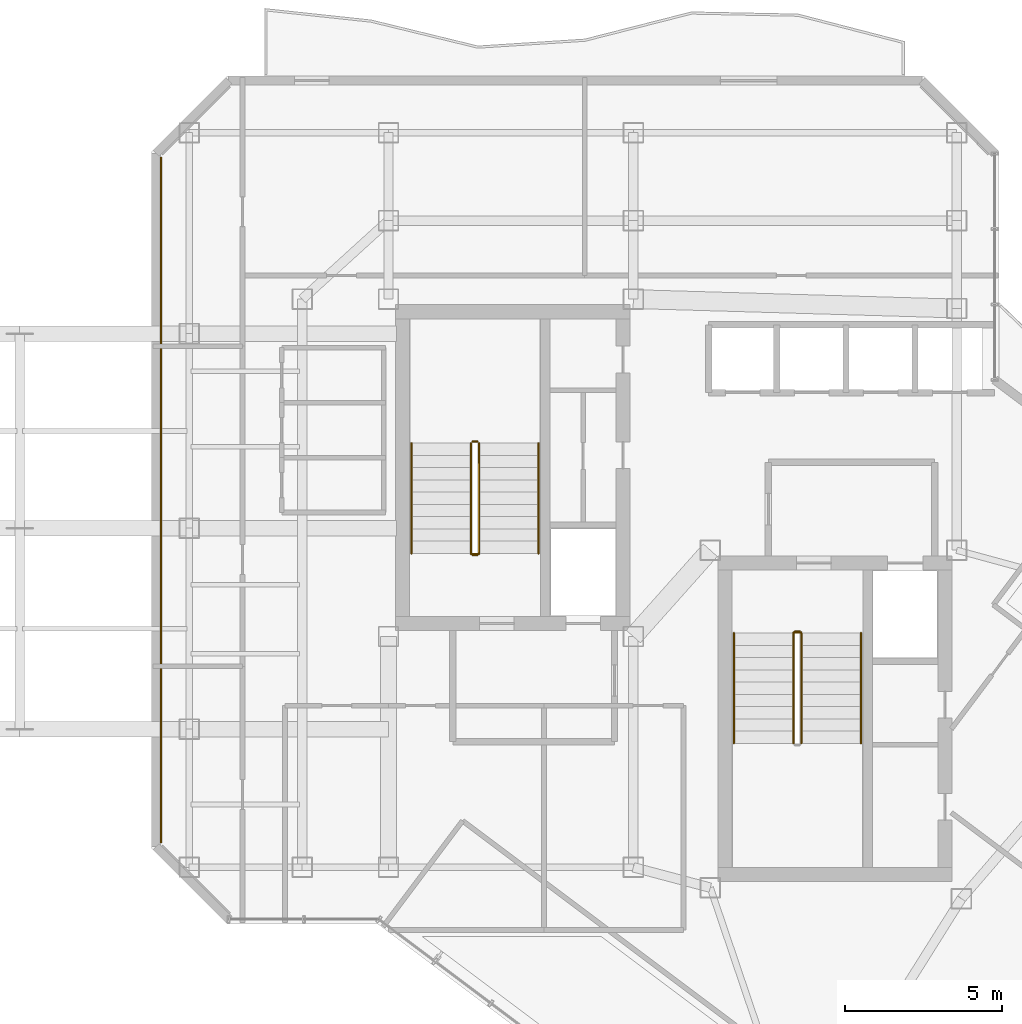
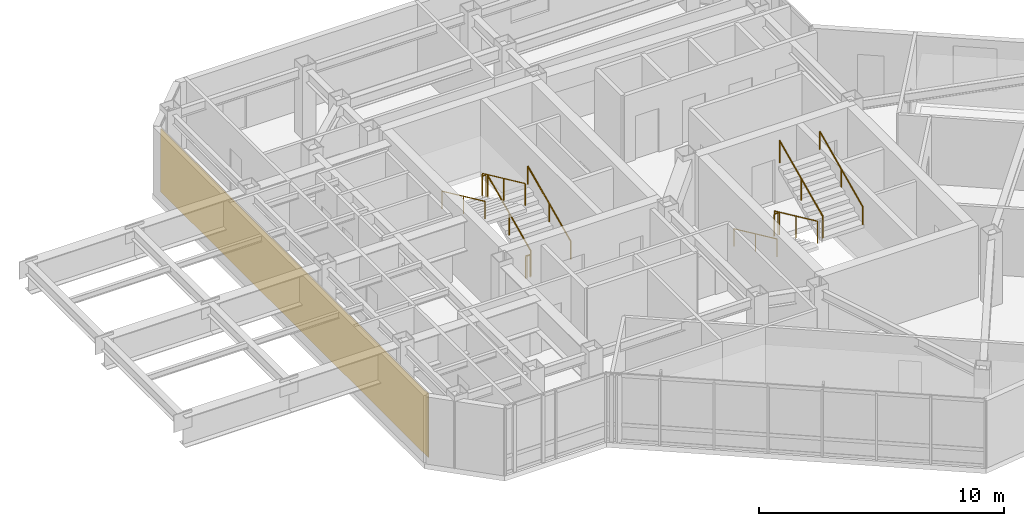
# One storey, part 16 of 17: 13 railings, 1 covering.
"""IFC4 building model written with IfcOpenShell, lengths in metres."""

import ifcopenshell
import ifcopenshell.guid

model = None  # the IFC model being written
_history = None  # IfcOwnerHistory: only IFC2X3 demands one
_inside = {}  # id of a spatial element -> (the spatial element, [elements in it])
_under = {}  # id of a project, library or spatial element -> (it, [spatial elements below it])
_declared = {}  # id of a project -> (the project, [libraries it declares])
_typed = {}  # id of a type object -> (the type object, [elements of that type])
_made_of = {}  # id of a material, layer set ... -> (it, [elements and type objects made of it])


def new_model(schema):
    """Start an empty IFC model of exactly this schema.

    Asked for "IFC4X3", IfcOpenShell would pick the latest addendum, in which some entities
    have other attributes; the version numbers below select the first issue.
    IFC2X3 requires an IfcOwnerHistory on every rooted entity: one is made here for all.
    """
    global model, _history
    if schema == "IFC4X3":
        model = ifcopenshell.file(schema_version=(4, 3, 0, 0))
    else:
        model = ifcopenshell.file(schema=schema)
    _inside.clear()
    _under.clear()
    _declared.clear()
    _typed.clear()
    _made_of.clear()
    _history = None
    if model.schema == "IFC2X3":
        org = make("IfcOrganization", Name="unknown")
        user = make(
            "IfcPersonAndOrganization",
            ThePerson=make("IfcPerson", FamilyName="unknown"),
            TheOrganization=org,
        )
        app = make(
            "IfcApplication",
            ApplicationDeveloper=org,
            Version="unknown",
            ApplicationFullName="unknown",
            ApplicationIdentifier="unknown",
        )
        _history = make(
            "IfcOwnerHistory",
            OwningUser=user,
            OwningApplication=app,
            ChangeAction="ADDED",
            CreationDate=0,
        )
    return model


def make(cls, **values):
    """One entity of the class cls with the attributes given. An attribute that is None is left unset."""
    return model.create_entity(
        cls, **{name: value for name, value in values.items() if value is not None}
    )


def rooted(cls, **values):
    """An entity with a GlobalId (a new one), such as an element, a storey or a relation."""
    return make(cls, GlobalId=ifcopenshell.guid.new(), OwnerHistory=_history, **values)


def si_unit(unit_type, name, prefix=None):
    """IfcSIUnit, for example si_unit("LENGTHUNIT", "METRE", prefix="MILLI")."""
    return make("IfcSIUnit", UnitType=unit_type, Prefix=prefix, Name=name)


def assignment(units):
    """IfcUnitAssignment: the units of a project."""
    return None if units is None else make("IfcUnitAssignment", Units=units)


def point(xyz):
    """IfcCartesianPoint."""
    return None if xyz is None else make("IfcCartesianPoint", Coordinates=xyz)


def direction(xyz):
    """IfcDirection."""
    return None if xyz is None else make("IfcDirection", DirectionRatios=xyz)


def frame(location, z_axis=None, x_axis=None):
    """IfcAxis2Placement3D, a coordinate frame: its origin and axes. An axis left out is left unset."""
    return make(
        "IfcAxis2Placement3D",
        Location=point(location),
        Axis=direction(z_axis),
        RefDirection=direction(x_axis),
    )


def frame_2d(location, x_axis=None):
    """IfcAxis2Placement2D, a coordinate frame in the plane: its origin and x axis."""
    return make(
        "IfcAxis2Placement2D", Location=point(location), RefDirection=direction(x_axis)
    )


def origin():
    """The frame at (0, 0, 0) with its axes left unset."""
    return frame((0.0, 0.0, 0.0))


def origin_2d():
    """The frame at (0, 0) in the plane with its x axis left unset."""
    return frame_2d((0.0, 0.0))


def place(relative_to, where):
    """IfcLocalPlacement: puts the frame where relative to a parent placement (None: the world)."""
    return make(
        "IfcLocalPlacement", PlacementRelTo=relative_to, RelativePlacement=where
    )


def context(
    kind, dimensions, precision=None, world=None, true_north=None, identifier=None
):
    """IfcGeometricRepresentationContext, for example the 3D "Model" context."""
    return make(
        "IfcGeometricRepresentationContext",
        ContextIdentifier=identifier,
        ContextType=kind,
        CoordinateSpaceDimension=dimensions,
        Precision=precision,
        WorldCoordinateSystem=world,
        TrueNorth=true_north,
    )


def subcontext(parent, identifier, kind, view, scale=None):
    """IfcGeometricRepresentationSubContext, for example "Body" below "Model"."""
    return make(
        "IfcGeometricRepresentationSubContext",
        ContextIdentifier=identifier,
        ContextType=kind,
        ParentContext=parent,
        TargetScale=scale,
        TargetView=view,
    )


def project(units=None, contexts=None):
    """IfcProject with its units and contexts."""
    return rooted(
        "IfcProject",
        Name="project",
        RepresentationContexts=contexts,
        UnitsInContext=assignment(units),
    )


def spatial(cls, under=None, at=None, **own):
    """A site, building, storey or space (cls), placed at a placement, below another one or the project."""
    s = rooted(cls, ObjectPlacement=at, **own)
    if under is not None:
        _under.setdefault(under.id(), (under, []))[1].append(s)
    return s


def profile(cls, at=None, kind="AREA", **sizes):
    """A parametric profile (cls). Its sizes go by their IFC names, for example OverallWidth=200.0."""
    return make(cls, ProfileType=kind, Position=at, **sizes)


def rectangle(**sizes):
    """IfcRectangleProfileDef."""
    return profile("IfcRectangleProfileDef", **sizes)


def circle(**sizes):
    """IfcCircleProfileDef."""
    return profile("IfcCircleProfileDef", **sizes)


def extrude(swept, where, along, depth):
    """IfcExtrudedAreaSolid: the profile swept, set in the frame where, extruded along a direction by depth."""
    return make(
        "IfcExtrudedAreaSolid",
        SweptArea=swept,
        Position=where,
        ExtrudedDirection=direction(along),
        Depth=depth,
    )


def shape(context_of_items, identifier, shape_type, items):
    """IfcShapeRepresentation: the items that make up one representation, for example the "Body"."""
    return make(
        "IfcShapeRepresentation",
        ContextOfItems=context_of_items,
        RepresentationIdentifier=identifier,
        RepresentationType=shape_type,
        Items=items,
    )


def material(Name=None, Category=None):
    """IfcMaterial."""
    return make("IfcMaterial", Name=Name, Category=Category)


def layer(
    of_material, thickness, ventilated=None, Name=None, Category=None, Priority=None
):
    """IfcMaterialLayer: one layer of a wall or slab, of a material (None: an air gap)."""
    return make(
        "IfcMaterialLayer",
        Material=of_material,
        LayerThickness=thickness,
        IsVentilated=ventilated,
        Name=Name,
        Category=Category,
        Priority=Priority,
    )


def layer_set(layers, Name=None):
    """IfcMaterialLayerSet."""
    return make("IfcMaterialLayerSet", MaterialLayers=layers, LayerSetName=Name)


def made_of(thing, what):
    """Note that an element or type object is made of a material, layer set ...; save() writes the relation."""
    if what is not None:
        _made_of.setdefault(what.id(), (what, []))[1].append(thing)
    return thing


def type_object(cls, material=None, **own):
    """A type object (cls), such as IfcWallType, which elements share."""
    return made_of(rooted(cls, **own), material)


def element(
    cls,
    number,
    at=None,
    inside=None,
    cuts=None,
    type_object=None,
    material=None,
    context=None,
    identifier="Body",
    shape_type=None,
    held_by="IfcProductDefinitionShape",
    body=None,
    shapes=None,
    **own,
):
    """One element of the class cls, such as IfcWall. Its Tag is "e" and its number.

    at: its placement. inside: the storey or other place that contains it. cuts: it is an
    opening in that element (IfcRelVoidsElement). A single representation is given by context,
    identifier, shape_type and body (its items); several are given by shapes. held_by: the class
    of the entity that holds the representations. save() writes the other relations.
    """
    e = rooted(cls, Tag="e%d" % number, ObjectPlacement=at, **own)
    if body is not None:
        shapes = [shape(context, identifier, shape_type, body)]
    if shapes is not None:
        e.Representation = make(held_by, Representations=shapes)
    if inside is not None:
        _inside.setdefault(inside.id(), (inside, []))[1].append(e)
    if cuts is not None:
        rooted(
            "IfcRelVoidsElement", RelatingBuildingElement=cuts, RelatedOpeningElement=e
        )
    if type_object is not None:
        _typed.setdefault(type_object.id(), (type_object, []))[1].append(e)
    return made_of(e, material)


def aggregate(whole, parts):
    """IfcRelAggregates: a whole, such as a stair, and the parts it consists of."""
    return rooted("IfcRelAggregates", RelatingObject=whole, RelatedObjects=parts)


def save(model, path):
    """Write the relations noted so far, then the file.

    IfcRelAggregates (storeys below a building ...), IfcRelContainedInSpatialStructure (elements
    in a storey), IfcRelDefinesByType, IfcRelAssociatesMaterial and IfcRelDeclares: one each for
    every whole, place, type object, material and project.
    """
    for whole, parts in _under.values():
        aggregate(whole, parts)
    for where, things in _inside.values():
        rooted(
            "IfcRelContainedInSpatialStructure",
            RelatedElements=things,
            RelatingStructure=where,
        )
    for kind, things in _typed.values():
        rooted("IfcRelDefinesByType", RelatedObjects=things, RelatingType=kind)
    for what, things in _made_of.values():
        rooted("IfcRelAssociatesMaterial", RelatedObjects=things, RelatingMaterial=what)
    for by, libraries in _declared.values():
        rooted("IfcRelDeclares", RelatingContext=by, RelatedDefinitions=libraries)
    model.write(path)


model = new_model("IFC4")

# Units and contexts
model_context = context("Model", 3, precision=1e-05, world=origin(), true_north=direction((0.0, 1.0)))
body_context = subcontext(model_context, "Body", "Model", "MODEL_VIEW")
ifc_project = project(units=[si_unit("LENGTHUNIT", "METRE"), si_unit("AREAUNIT", "SQUARE_METRE"), si_unit("VOLUMEUNIT", "CUBIC_METRE"), si_unit("PLANEANGLEUNIT", "RADIAN"), si_unit("MASSUNIT", "GRAM", prefix="KILO")], contexts=[model_context])

# Site, building, storey
site_placement = place(None, origin())
site = spatial("IfcSite", under=ifc_project, at=site_placement, CompositionType="ELEMENT")
building_placement = place(site_placement, origin())
building = spatial("IfcBuilding", under=site, at=building_placement, Name="Hatsunagi Terrace Concourse", CompositionType="ELEMENT")
storey_placement = place(building_placement, frame((0.0, 0.0, 253.949951171875)))
storey = spatial("IfcBuildingStorey", under=building, at=storey_placement, Name="L67", CompositionType="ELEMENT", Elevation=253.949951171875)

# Railings
ifc_material_1 = material(Name="Stainless steel", Category="steel")
ifc_layer_1 = layer(ifc_material_1, 0.044921875)
ifc_layer_set_1 = layer_set([ifc_layer_1], Name="StairPitchHandrail_Tower2000")
railing_type_1 = type_object("IfcRailingType", Name="StairPitchHandrail_Tower2000", PredefinedType="HANDRAIL", material=ifc_layer_set_1)
railing_1_placement = place(storey_placement, frame((30.330078125, 35.199951171875, 0.179931640625)))
element("IfcRailing", 1, at=railing_1_placement, inside=storey, type_object=railing_type_1, Name="L67 ST-A stair handrail 1", PredefinedType="HANDRAIL", context=body_context, shape_type="SweptSolid", body=[
    extrude(circle(Radius=0.02392578125, at=origin_2d()), frame((0.0, 0.0, 0.8759765625), z_axis=(0.0, 0.907948293929, 0.419082206198), x_axis=(-1.0, 0.0, 0.0)), (0.0, 0.0, 1.0), 3.865966796875),
    extrude(circle(Radius=0.02099609375, at=origin_2d()), origin(), (0.0, 0.0, 1.0), 0.851806640625),
    extrude(circle(Radius=0.02099609375, at=origin_2d()), frame((0.0, 1.7548828125, 0.81005859375)), (0.0, 0.0, 1.0), 0.851806640625),
    extrude(circle(Radius=0.02099609375, at=origin_2d()), frame((0.0, 3.510009765625, 1.6201171875)), (0.0, 0.0, 1.0), 0.851806640625),
])
for number, where, name in (
    (2, (26.280029296875, 38.7099609375, 1.97998046875), "L67 ST-A stair handrail 2"),
    (3, (36.550048828125, 32.659912109375, 0.179931640625), "L67 ST-B stair handrail 1"),
):
    element("IfcRailing", number, at=place(storey_placement, frame(where)), inside=storey, type_object=railing_type_1, Name=name, PredefinedType="HANDRAIL", context=body_context, shape_type="SweptSolid", body=[
        extrude(circle(Radius=0.02392578125, at=origin_2d()), frame((0.0, 0.0, 0.8759765625), z_axis=(0.0, -0.907948293929, 0.419082206198), x_axis=(1.0, 0.0, 0.0)), (0.0, 0.0, 1.0), 3.865966796875),
        extrude(circle(Radius=0.02099609375, at=origin_2d()), origin(), (0.0, 0.0, 1.0), 0.851806640625),
        extrude(circle(Radius=0.02099609375, at=origin_2d()), frame((0.0, -1.7548828125, 0.81005859375)), (0.0, 0.0, 1.0), 0.851806640625),
        extrude(circle(Radius=0.02099609375, at=origin_2d()), frame((0.0, -3.510009765625, 1.6201171875)), (0.0, 0.0, 1.0), 0.851806640625),
    ])
railing_2_placement = place(storey_placement, frame((40.60009765625, 29.14990234375, 1.97998046875)))
element("IfcRailing", 4, at=railing_2_placement, inside=storey, type_object=railing_type_1, Name="L67 ST-B stair handrail 2", PredefinedType="HANDRAIL", context=body_context, shape_type="SweptSolid", body=[
    extrude(circle(Radius=0.02392578125, at=origin_2d()), frame((0.0, 0.0, 0.8759765625), z_axis=(0.0, 0.907948293929, 0.419082206198), x_axis=(-1.0, 0.0, 0.0)), (0.0, 0.0, 1.0), 3.865966796875),
    extrude(circle(Radius=0.02099609375, at=origin_2d()), origin(), (0.0, 0.0, 1.0), 0.851806640625),
    extrude(circle(Radius=0.02099609375, at=origin_2d()), frame((0.0, 1.7548828125, 0.81005859375)), (0.0, 0.0, 1.0), 0.851806640625),
    extrude(circle(Radius=0.02099609375, at=origin_2d()), frame((0.0, 3.510009765625, 1.6201171875)), (0.0, 0.0, 1.0), 0.851806640625),
])
ifc_material_2 = material(Name="Stainless steel", Category="steel")
ifc_layer_2 = layer(ifc_material_2, 0.06005859375)
ifc_layer_set_2 = layer_set([ifc_layer_2], Name="StairWellGuard_Tower2000")
railing_type_2 = type_object("IfcRailingType", Name="StairWellGuard_Tower2000", PredefinedType="BALUSTRADE", material=ifc_layer_set_2)
railing_3_placement = place(storey_placement, frame((28.429931640625, 35.199951171875, 0.179931640625)))
element("IfcRailing", 5, at=railing_3_placement, inside=storey, type_object=railing_type_2, Name="L67 ST-A stair guard 1", PredefinedType="BALUSTRADE", context=body_context, shape_type="SweptSolid", body=[
    extrude(circle(Radius=0.02392578125, at=origin_2d()), frame((0.0, 0.0, 1.09619140625), z_axis=(0.0, 0.907948293929, 0.419082206198), x_axis=(-1.0, 0.0, 0.0)), (0.0, 0.0, 1.0), 3.865966796875),
    extrude(circle(Radius=0.02099609375, at=origin_2d()), origin(), (0.0, 0.0, 1.0), 1.072021484375),
    extrude(circle(Radius=0.02099609375, at=origin_2d()), frame((0.0, 1.7548828125, 0.81005859375)), (0.0, 0.0, 1.0), 1.072021484375),
    extrude(circle(Radius=0.02099609375, at=origin_2d()), frame((0.0, 3.510009765625, 1.6201171875)), (0.0, 0.0, 1.0), 1.072021484375),
])
railing_4_placement = place(storey_placement, frame((28.3798828125, 38.760009765625, 1.800048828125)))
element("IfcRailing", 6, at=railing_4_placement, inside=storey, type_object=railing_type_2, Name="L67 ST-A stair guard 2", PredefinedType="BALUSTRADE", context=body_context, shape_type="SweptSolid", body=[
    extrude(circle(Radius=0.02392578125, at=origin_2d()), frame((0.0, 0.0, 1.09619140625), z_axis=(-1.0, 0.0, 0.0), x_axis=(0.0, -1.0, 0.0)), (0.0, 0.0, 1.0), 0.14990234375),
    extrude(circle(Radius=0.02099609375, at=origin_2d()), origin(), (0.0, 0.0, 1.0), 1.072021484375),
    extrude(circle(Radius=0.02099609375, at=origin_2d()), frame((-0.14990234375, 0.0, 0.0)), (0.0, 0.0, 1.0), 1.072021484375),
])
railing_5_placement = place(storey_placement, frame((28.179931640625, 38.7099609375, 1.97998046875)))
element("IfcRailing", 7, at=railing_5_placement, inside=storey, type_object=railing_type_2, Name="L67 ST-A stair guard 3", PredefinedType="BALUSTRADE", context=body_context, shape_type="SweptSolid", body=[
    extrude(circle(Radius=0.02392578125, at=origin_2d()), frame((0.0, 0.0, 1.09619140625), z_axis=(0.0, -0.907948293929, 0.419082206198), x_axis=(1.0, 0.0, 0.0)), (0.0, 0.0, 1.0), 3.865966796875),
    extrude(circle(Radius=0.02099609375, at=origin_2d()), origin(), (0.0, 0.0, 1.0), 1.072021484375),
    extrude(circle(Radius=0.02099609375, at=origin_2d()), frame((0.0, -1.7548828125, 0.81005859375)), (0.0, 0.0, 1.0), 1.072021484375),
    extrude(circle(Radius=0.02099609375, at=origin_2d()), frame((0.0, -3.510009765625, 1.6201171875)), (0.0, 0.0, 1.0), 1.072021484375),
])
railing_6_placement = place(storey_placement, frame((28.3798828125, 35.14990234375, 0.0)))
element("IfcRailing", 8, at=railing_6_placement, inside=storey, type_object=railing_type_2, Name="L67 ST-A stair guard 4", PredefinedType="BALUSTRADE", context=body_context, shape_type="SweptSolid", body=[
    extrude(circle(Radius=0.02392578125, at=origin_2d()), frame((0.0, 0.0, 1.09619140625), z_axis=(-1.0, 0.0, 0.0), x_axis=(0.0, -1.0, 0.0)), (0.0, 0.0, 1.0), 0.14990234375),
    extrude(circle(Radius=0.02099609375, at=origin_2d()), origin(), (0.0, 0.0, 1.0), 1.072021484375),
    extrude(circle(Radius=0.02099609375, at=origin_2d()), frame((-0.14990234375, 0.0, 0.0)), (0.0, 0.0, 1.0), 1.072021484375),
])
railing_7_placement = place(storey_placement, frame((38.449951171875, 32.659912109375, 0.179931640625)))
element("IfcRailing", 9, at=railing_7_placement, inside=storey, type_object=railing_type_2, Name="L67 ST-B stair guard 1", PredefinedType="BALUSTRADE", context=body_context, shape_type="SweptSolid", body=[
    extrude(circle(Radius=0.02392578125, at=origin_2d()), frame((0.0, 0.0, 1.09619140625), z_axis=(0.0, -0.907948293929, 0.419082206198), x_axis=(1.0, 0.0, 0.0)), (0.0, 0.0, 1.0), 3.865966796875),
    extrude(circle(Radius=0.02099609375, at=origin_2d()), origin(), (0.0, 0.0, 1.0), 1.072021484375),
    extrude(circle(Radius=0.02099609375, at=origin_2d()), frame((0.0, -1.7548828125, 0.81005859375)), (0.0, 0.0, 1.0), 1.072021484375),
    extrude(circle(Radius=0.02099609375, at=origin_2d()), frame((0.0, -3.510009765625, 1.6201171875)), (0.0, 0.0, 1.0), 1.072021484375),
])
railing_8_placement = place(storey_placement, frame((38.699951171875, 29.14990234375, 1.97998046875)))
element("IfcRailing", 10, at=railing_8_placement, inside=storey, type_object=railing_type_2, Name="L67 ST-B stair guard 3", PredefinedType="BALUSTRADE", context=body_context, shape_type="SweptSolid", body=[
    extrude(circle(Radius=0.02392578125, at=origin_2d()), frame((0.0, 0.0, 1.09619140625), z_axis=(0.0, 0.907948293929, 0.419082206198), x_axis=(-1.0, 0.0, 0.0)), (0.0, 0.0, 1.0), 3.865966796875),
    extrude(circle(Radius=0.02099609375, at=origin_2d()), origin(), (0.0, 0.0, 1.0), 1.072021484375),
    extrude(circle(Radius=0.02099609375, at=origin_2d()), frame((0.0, 1.7548828125, 0.81005859375)), (0.0, 0.0, 1.0), 1.072021484375),
    extrude(circle(Radius=0.02099609375, at=origin_2d()), frame((0.0, 3.510009765625, 1.6201171875)), (0.0, 0.0, 1.0), 1.072021484375),
])
railing_9_placement = place(storey_placement, frame((38.5, 32.7099609375, 0.0)))
element("IfcRailing", 11, at=railing_9_placement, inside=storey, type_object=railing_type_2, Name="L67 ST-B stair guard 4", PredefinedType="BALUSTRADE", context=body_context, shape_type="SweptSolid", body=[
    extrude(circle(Radius=0.02392578125, at=origin_2d()), frame((0.0, 0.0, 1.09619140625), z_axis=(1.0, 0.0, 0.0), x_axis=(0.0, 1.0, 0.0)), (0.0, 0.0, 1.0), 0.14990234375),
    extrude(circle(Radius=0.02099609375, at=origin_2d()), origin(), (0.0, 0.0, 1.0), 1.072021484375),
    extrude(circle(Radius=0.02099609375, at=origin_2d()), frame((0.14990234375, 0.0, 0.0)), (0.0, 0.0, 1.0), 1.072021484375),
])
ifc_material_3 = material(Name="Stainless Steel SUS316 Post-and-Rail Guard", Category="steel")
ifc_layer_3 = layer(ifc_material_3, 0.080078125)
ifc_layer_set_3 = layer_set([ifc_layer_3], Name="TerracePlantedGuardRail_1200")
railing_type_3 = type_object("IfcRailingType", Name="TerracePlantedGuardRail_1200", PredefinedType="GUARDRAIL", material=ifc_layer_set_3)
for number, where, name in (
    (12, (28.179931640625, 35.179931640625, 0.0), "Stair ST-A Well Closure Guard L67"),
    (13, (38.449951171875, 32.679931640625, 0.0), "Stair ST-B Well Closure Guard L67"),
):
    element("IfcRailing", number, at=place(storey_placement, frame(where)), inside=storey, type_object=railing_type_3, Name=name, PredefinedType="GUARDRAIL", context=body_context, shape_type="SweptSolid", body=[
        extrude(circle(Radius=0.02392578125, at=origin_2d()), frame((0.0, 0.0, 1.09619140625), z_axis=(1.0, 0.0, 0.0), x_axis=(0.0, 1.0, 0.0)), (0.0, 0.0, 1.0), 0.25),
        extrude(circle(Radius=0.02099609375, at=origin_2d()), origin(), (0.0, 0.0, 1.0), 1.072021484375),
        extrude(circle(Radius=0.02099609375, at=origin_2d()), frame((0.25, 0.0, 0.0)), (0.0, 0.0, 1.0), 1.072021484375),
    ])

# Covering
ifc_material_4 = material(Name="Unglazed Warm Terracotta Rainscreen Tile", Category="masonry")
ifc_layer_4 = layer(ifc_material_4, 0.044921875)
ifc_layer_set_4 = layer_set([ifc_layer_4], Name="TerracottaRainscreenCladding_45")
covering_type = type_object("IfcCoveringType", Name="TerracottaRainscreenCladding_45", PredefinedType="CLADDING", material=ifc_layer_set_4)
covering_placement = place(storey_placement, frame((18.302001953125, 36.89990234375, 0.10009765625), z_axis=(0.0, 0.0, 1.0), x_axis=(0.0, 1.0, 0.0)))
element("IfcCovering", 14, at=covering_placement, inside=storey, type_object=covering_type, Name="Terracotta Rainscreen Cladding L67-08", PredefinedType="CLADDING", context=body_context, shape_type="SweptSolid", body=[
    extrude(rectangle(XDim=21.843994140625, YDim=0.044921875, at=origin_2d()), origin(), (0.0, 0.0, 1.0), 3.14990234375),
])

save(model, "model.ifc")
